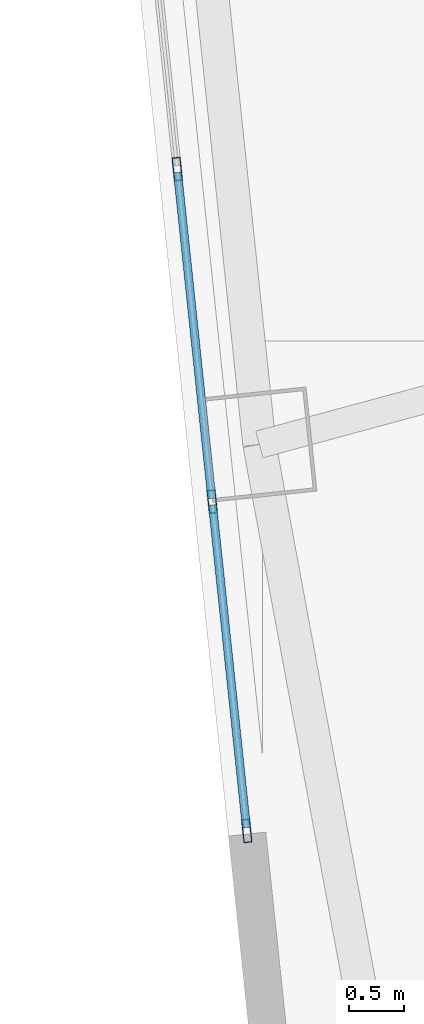
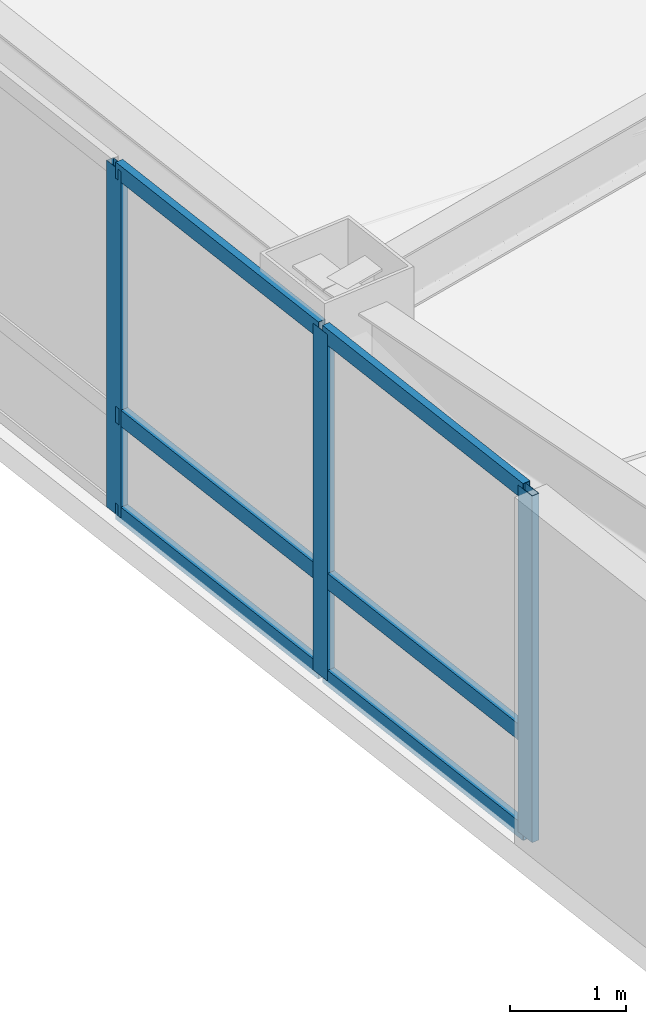
# One storey, part 2 of 15: 9 members, 1 element without a shape of its own.
"""IFC4 building model written with IfcOpenShell, lengths in metres."""

from ifc_helpers import new_model, si_unit, direction, frame, origin, origin_2d, place, context, subcontext, project, spatial, hollow_rectangle, extrude, material, layer, layer_set, material_profile, profile_set, type_object, element, aggregate, save


model = new_model("IFC4")

# Units and contexts
model_context = context("Model", 3, precision=1e-05, world=origin(), true_north=direction((0.0, 1.0)))
body_context = subcontext(model_context, "Body", "Model", "MODEL_VIEW")
ifc_project = project(units=[si_unit("LENGTHUNIT", "METRE"), si_unit("AREAUNIT", "SQUARE_METRE"), si_unit("VOLUMEUNIT", "CUBIC_METRE"), si_unit("PLANEANGLEUNIT", "RADIAN"), si_unit("MASSUNIT", "GRAM", prefix="KILO")], contexts=[model_context])

# Site, building, storey
site_placement = place(None, origin())
site = spatial("IfcSite", under=ifc_project, at=site_placement, CompositionType="ELEMENT")
building_placement = place(site_placement, origin())
building = spatial("IfcBuilding", under=site, at=building_placement, Name="Voryun Gate Residences", CompositionType="ELEMENT")
storey_placement = place(building_placement, frame((0.0, 0.0, 148.199951171875)))
storey = spatial("IfcBuildingStorey", under=building, at=storey_placement, Name="L36", CompositionType="ELEMENT", Elevation=148.199951171875)

# Curtain wall, members
ifc_material_1 = material(Name="Anodised aluminium", Category="aluminium")
ifc_layer = layer(ifc_material_1, 0.2099609375, Name="CW_SYS_SKYGARDEN_DARK_GLASS")
ifc_layer_set = layer_set([ifc_layer], Name="Anodised aluminium")
curtain_wall_type = type_object("IfcCurtainWallType", Name="CW_SYS_SKYGARDEN_DARK_GLASS", PredefinedType="NOTDEFINED", material=ifc_layer_set)
curtain_wall_placement = place(storey_placement, origin())
curtain_wall = element("IfcCurtainWall", 1, at=curtain_wall_placement, inside=storey, type_object=curtain_wall_type, Name="Curtain wall CW5-L36-SG-06", PredefinedType="NOTDEFINED")
ifc_material_2 = material(Name="Anodised aluminium", Category="aluminium")
ifc_material_profile_1 = material_profile(ifc_material_2, hollow_rectangle(XDim=0.074951171875, YDim=0.2099609375, WallThickness=0.0048828125, at=origin_2d()), Name="ALU-MULL-210x75x5")
ifc_profile_set_1 = profile_set([ifc_material_profile_1], Name="Anodised aluminium")
member_type_1 = type_object("IfcMemberType", Name="CW_MULL_SKY", PredefinedType="MULLION", material=ifc_profile_set_1)
member_1_placement = place(storey_placement, frame((-31.5615234375, -14.222412109375, 0.0), z_axis=(0.0, 0.0, 1.0), x_axis=(-0.994521755433, -0.104529794654, 0.0)))
member_1 = element("IfcMember", 2, at=member_1_placement, type_object=member_type_1, Name="CW5 mullion 1", PredefinedType="MULLION", context=body_context, shape_type="SweptSolid", body=[
    extrude(hollow_rectangle(XDim=0.074951171875, YDim=0.2099609375, WallThickness=0.0048828125, at=origin_2d()), origin(), (0.0, 0.0, 1.0), 3.650146484375),
])
member_2_placement = place(storey_placement, frame((-31.875244140625, -11.236572265625, 0.0), z_axis=(0.0, 0.0, 1.0), x_axis=(-0.994521755433, -0.104529794654, 0.0)))
member_2 = element("IfcMember", 3, at=member_2_placement, type_object=member_type_1, Name="CW5 mullion 2", PredefinedType="MULLION", context=body_context, shape_type="SweptSolid", body=[
    extrude(hollow_rectangle(XDim=0.074951171875, YDim=0.2099609375, WallThickness=0.0048828125, at=origin_2d()), origin(), (0.0, 0.0, 1.0), 3.650146484375),
])
member_3_placement = place(storey_placement, frame((-32.192138671875, -8.220703125, 0.0), z_axis=(0.0, 0.0, 1.0), x_axis=(-0.994521755433, -0.104529794654, 0.0)))
member_3 = element("IfcMember", 4, at=member_3_placement, type_object=member_type_1, Name="CW5 mullion 3", PredefinedType="MULLION", context=body_context, shape_type="SweptSolid", body=[
    extrude(hollow_rectangle(XDim=0.074951171875, YDim=0.2099609375, WallThickness=0.0048828125, at=origin_2d()), origin(), (0.0, 0.0, 1.0), 3.650146484375),
])
ifc_material_3 = material(Name="Anodised aluminium", Category="aluminium")
ifc_material_profile_2 = material_profile(ifc_material_3, hollow_rectangle(XDim=0.074951171875, YDim=0.169921875, WallThickness=0.0048828125, at=origin_2d()), Name="ALU-TRAN-170x75x5")
ifc_profile_set_2 = profile_set([ifc_material_profile_2], Name="Anodised aluminium")
member_type_2 = type_object("IfcMemberType", Name="CW_TRAN_SKY", PredefinedType="USERDEFINED", material=ifc_profile_set_2)
member_4_placement = place(storey_placement, frame((-31.564453125, -14.192626953125, 0.030029296875), z_axis=(-0.104546570168, 0.99451999209, 0.0), x_axis=(-0.99451999209, -0.104546570168, 0.0)))
member_4 = element("IfcMember", 5, at=member_4_placement, type_object=member_type_2, Name="CW5 transom 1.1", ObjectType="TRANSOM", PredefinedType="USERDEFINED", context=body_context, shape_type="SweptSolid", body=[
    extrude(hollow_rectangle(XDim=0.074951171875, YDim=0.169921875, WallThickness=0.0048828125, at=origin_2d()), origin(), (0.0, 0.0, 1.0), 2.9423828125),
])
member_5_placement = place(storey_placement, frame((-31.564453125, -14.192626953125, 1.050048828125), z_axis=(-0.104546570168, 0.99451999209, 0.0), x_axis=(-0.99451999209, -0.104546570168, 0.0)))
member_5 = element("IfcMember", 6, at=member_5_placement, type_object=member_type_2, Name="CW5 transom 1.2", ObjectType="TRANSOM", PredefinedType="USERDEFINED", context=body_context, shape_type="SweptSolid", body=[
    extrude(hollow_rectangle(XDim=0.074951171875, YDim=0.169921875, WallThickness=0.0048828125, at=origin_2d()), origin(), (0.0, 0.0, 1.0), 2.9423828125),
])
member_6_placement = place(storey_placement, frame((-31.564453125, -14.192626953125, 3.6201171875), z_axis=(-0.104546570168, 0.99451999209, 0.0), x_axis=(-0.99451999209, -0.104546570168, 0.0)))
member_6 = element("IfcMember", 7, at=member_6_placement, type_object=member_type_2, Name="CW5 transom 1.3", ObjectType="TRANSOM", PredefinedType="USERDEFINED", context=body_context, shape_type="SweptSolid", body=[
    extrude(hollow_rectangle(XDim=0.074951171875, YDim=0.169921875, WallThickness=0.0048828125, at=origin_2d()), origin(), (0.0, 0.0, 1.0), 2.9423828125),
])
member_7_placement = place(storey_placement, frame((-31.87841796875, -11.206787109375, 0.030029296875), z_axis=(-0.104560790128, 0.994518497147, 0.0), x_axis=(-0.994518497147, -0.104560790128, 0.0)))
member_7 = element("IfcMember", 8, at=member_7_placement, type_object=member_type_2, Name="CW5 transom 2.1", ObjectType="TRANSOM", PredefinedType="USERDEFINED", context=body_context, shape_type="SweptSolid", body=[
    extrude(hollow_rectangle(XDim=0.074951171875, YDim=0.169921875, WallThickness=0.0048828125, at=origin_2d()), origin(), (0.0, 0.0, 1.0), 2.972412109375),
])
member_8_placement = place(storey_placement, frame((-31.87841796875, -11.206787109375, 1.050048828125), z_axis=(-0.104560790128, 0.994518497147, 0.0), x_axis=(-0.994518497147, -0.104560790128, 0.0)))
member_8 = element("IfcMember", 9, at=member_8_placement, type_object=member_type_2, Name="CW5 transom 2.2", ObjectType="TRANSOM", PredefinedType="USERDEFINED", context=body_context, shape_type="SweptSolid", body=[
    extrude(hollow_rectangle(XDim=0.074951171875, YDim=0.169921875, WallThickness=0.0048828125, at=origin_2d()), origin(), (0.0, 0.0, 1.0), 2.972412109375),
])
member_9_placement = place(storey_placement, frame((-31.87841796875, -11.206787109375, 3.6201171875), z_axis=(-0.104560790128, 0.994518497147, 0.0), x_axis=(-0.994518497147, -0.104560790128, 0.0)))
member_9 = element("IfcMember", 10, at=member_9_placement, type_object=member_type_2, Name="CW5 transom 2.3", ObjectType="TRANSOM", PredefinedType="USERDEFINED", context=body_context, shape_type="SweptSolid", body=[
    extrude(hollow_rectangle(XDim=0.074951171875, YDim=0.169921875, WallThickness=0.0048828125, at=origin_2d()), origin(), (0.0, 0.0, 1.0), 2.972412109375),
])
aggregate(curtain_wall, [member_1, member_2, member_3, member_4, member_5, member_6, member_7, member_8, member_9])

save(model, "model.ifc")
